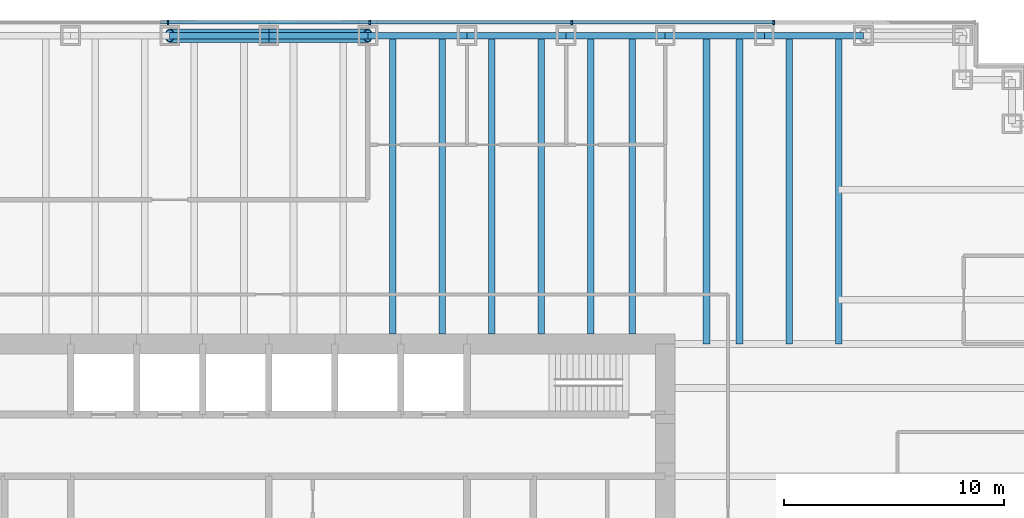
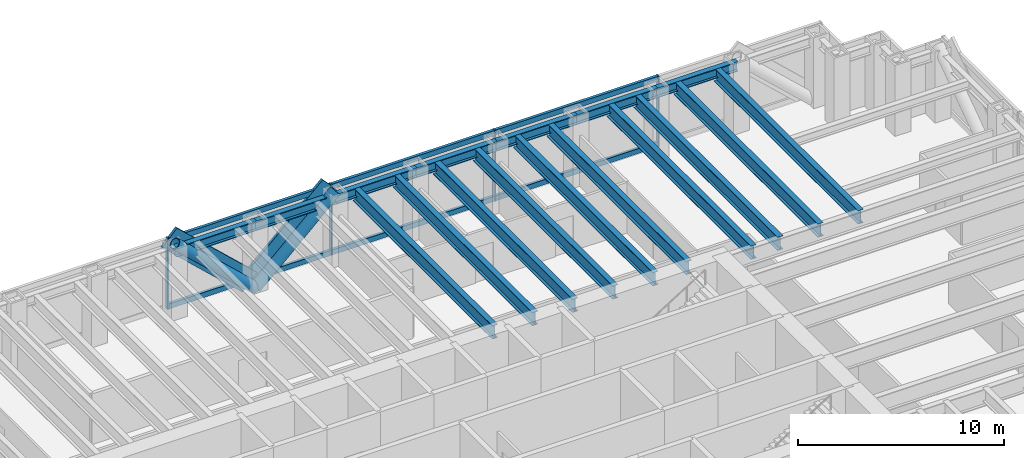
# One storey, part 7 of 15: 17 beams, 14 members, 1 element without a shape of its own.
"""IFC4 building model written with IfcOpenShell, lengths in metres."""

import ifcopenshell
import ifcopenshell.guid

model = None  # the IFC model being written
_history = None  # IfcOwnerHistory: only IFC2X3 demands one
_inside = {}  # id of a spatial element -> (the spatial element, [elements in it])
_under = {}  # id of a project, library or spatial element -> (it, [spatial elements below it])
_declared = {}  # id of a project -> (the project, [libraries it declares])
_typed = {}  # id of a type object -> (the type object, [elements of that type])
_made_of = {}  # id of a material, layer set ... -> (it, [elements and type objects made of it])


def new_model(schema):
    """Start an empty IFC model of exactly this schema.

    Asked for "IFC4X3", IfcOpenShell would pick the latest addendum, in which some entities
    have other attributes; the version numbers below select the first issue.
    IFC2X3 requires an IfcOwnerHistory on every rooted entity: one is made here for all.
    """
    global model, _history
    if schema == "IFC4X3":
        model = ifcopenshell.file(schema_version=(4, 3, 0, 0))
    else:
        model = ifcopenshell.file(schema=schema)
    _inside.clear()
    _under.clear()
    _declared.clear()
    _typed.clear()
    _made_of.clear()
    _history = None
    if model.schema == "IFC2X3":
        org = make("IfcOrganization", Name="unknown")
        user = make(
            "IfcPersonAndOrganization",
            ThePerson=make("IfcPerson", FamilyName="unknown"),
            TheOrganization=org,
        )
        app = make(
            "IfcApplication",
            ApplicationDeveloper=org,
            Version="unknown",
            ApplicationFullName="unknown",
            ApplicationIdentifier="unknown",
        )
        _history = make(
            "IfcOwnerHistory",
            OwningUser=user,
            OwningApplication=app,
            ChangeAction="ADDED",
            CreationDate=0,
        )
    return model


def make(cls, **values):
    """One entity of the class cls with the attributes given. An attribute that is None is left unset."""
    return model.create_entity(
        cls, **{name: value for name, value in values.items() if value is not None}
    )


def rooted(cls, **values):
    """An entity with a GlobalId (a new one), such as an element, a storey or a relation."""
    return make(cls, GlobalId=ifcopenshell.guid.new(), OwnerHistory=_history, **values)


def si_unit(unit_type, name, prefix=None):
    """IfcSIUnit, for example si_unit("LENGTHUNIT", "METRE", prefix="MILLI")."""
    return make("IfcSIUnit", UnitType=unit_type, Prefix=prefix, Name=name)


def assignment(units):
    """IfcUnitAssignment: the units of a project."""
    return None if units is None else make("IfcUnitAssignment", Units=units)


def point(xyz):
    """IfcCartesianPoint."""
    return None if xyz is None else make("IfcCartesianPoint", Coordinates=xyz)


def direction(xyz):
    """IfcDirection."""
    return None if xyz is None else make("IfcDirection", DirectionRatios=xyz)


def frame(location, z_axis=None, x_axis=None):
    """IfcAxis2Placement3D, a coordinate frame: its origin and axes. An axis left out is left unset."""
    return make(
        "IfcAxis2Placement3D",
        Location=point(location),
        Axis=direction(z_axis),
        RefDirection=direction(x_axis),
    )


def frame_2d(location, x_axis=None):
    """IfcAxis2Placement2D, a coordinate frame in the plane: its origin and x axis."""
    return make(
        "IfcAxis2Placement2D", Location=point(location), RefDirection=direction(x_axis)
    )


def origin():
    """The frame at (0, 0, 0) with its axes left unset."""
    return frame((0.0, 0.0, 0.0))


def origin_2d():
    """The frame at (0, 0) in the plane with its x axis left unset."""
    return frame_2d((0.0, 0.0))


def place(relative_to, where):
    """IfcLocalPlacement: puts the frame where relative to a parent placement (None: the world)."""
    return make(
        "IfcLocalPlacement", PlacementRelTo=relative_to, RelativePlacement=where
    )


def context(
    kind, dimensions, precision=None, world=None, true_north=None, identifier=None
):
    """IfcGeometricRepresentationContext, for example the 3D "Model" context."""
    return make(
        "IfcGeometricRepresentationContext",
        ContextIdentifier=identifier,
        ContextType=kind,
        CoordinateSpaceDimension=dimensions,
        Precision=precision,
        WorldCoordinateSystem=world,
        TrueNorth=true_north,
    )


def subcontext(parent, identifier, kind, view, scale=None):
    """IfcGeometricRepresentationSubContext, for example "Body" below "Model"."""
    return make(
        "IfcGeometricRepresentationSubContext",
        ContextIdentifier=identifier,
        ContextType=kind,
        ParentContext=parent,
        TargetScale=scale,
        TargetView=view,
    )


def project(units=None, contexts=None):
    """IfcProject with its units and contexts."""
    return rooted(
        "IfcProject",
        Name="project",
        RepresentationContexts=contexts,
        UnitsInContext=assignment(units),
    )


def spatial(cls, under=None, at=None, **own):
    """A site, building, storey or space (cls), placed at a placement, below another one or the project."""
    s = rooted(cls, ObjectPlacement=at, **own)
    if under is not None:
        _under.setdefault(under.id(), (under, []))[1].append(s)
    return s


def profile(cls, at=None, kind="AREA", **sizes):
    """A parametric profile (cls). Its sizes go by their IFC names, for example OverallWidth=200.0."""
    return make(cls, ProfileType=kind, Position=at, **sizes)


def rectangle(**sizes):
    """IfcRectangleProfileDef."""
    return profile("IfcRectangleProfileDef", **sizes)


def hollow_circle(**sizes):
    """IfcCircleHollowProfileDef."""
    return profile("IfcCircleHollowProfileDef", **sizes)


def i_section(**sizes):
    """IfcIShapeProfileDef."""
    return profile("IfcIShapeProfileDef", **sizes)


def extrude(swept, where, along, depth):
    """IfcExtrudedAreaSolid: the profile swept, set in the frame where, extruded along a direction by depth."""
    return make(
        "IfcExtrudedAreaSolid",
        SweptArea=swept,
        Position=where,
        ExtrudedDirection=direction(along),
        Depth=depth,
    )


def shape(context_of_items, identifier, shape_type, items):
    """IfcShapeRepresentation: the items that make up one representation, for example the "Body"."""
    return make(
        "IfcShapeRepresentation",
        ContextOfItems=context_of_items,
        RepresentationIdentifier=identifier,
        RepresentationType=shape_type,
        Items=items,
    )


def material(Name=None, Category=None):
    """IfcMaterial."""
    return make("IfcMaterial", Name=Name, Category=Category)


def material_profile(
    of_material, cross_section, Name=None, Category=None, Priority=None
):
    """IfcMaterialProfile: a cross section and its material."""
    return make(
        "IfcMaterialProfile",
        Name=Name,
        Material=of_material,
        Profile=cross_section,
        Priority=Priority,
        Category=Category,
    )


def profile_set(profiles, Name=None, composite=None):
    """IfcMaterialProfileSet."""
    return make(
        "IfcMaterialProfileSet",
        Name=Name,
        MaterialProfiles=profiles,
        CompositeProfile=composite,
    )


def made_of(thing, what):
    """Note that an element or type object is made of a material, layer set ...; save() writes the relation."""
    if what is not None:
        _made_of.setdefault(what.id(), (what, []))[1].append(thing)
    return thing


def type_object(cls, material=None, **own):
    """A type object (cls), such as IfcWallType, which elements share."""
    return made_of(rooted(cls, **own), material)


def element(
    cls,
    number,
    at=None,
    inside=None,
    cuts=None,
    type_object=None,
    material=None,
    context=None,
    identifier="Body",
    shape_type=None,
    held_by="IfcProductDefinitionShape",
    body=None,
    shapes=None,
    **own,
):
    """One element of the class cls, such as IfcWall. Its Tag is "e" and its number.

    at: its placement. inside: the storey or other place that contains it. cuts: it is an
    opening in that element (IfcRelVoidsElement). A single representation is given by context,
    identifier, shape_type and body (its items); several are given by shapes. held_by: the class
    of the entity that holds the representations. save() writes the other relations.
    """
    e = rooted(cls, Tag="e%d" % number, ObjectPlacement=at, **own)
    if body is not None:
        shapes = [shape(context, identifier, shape_type, body)]
    if shapes is not None:
        e.Representation = make(held_by, Representations=shapes)
    if inside is not None:
        _inside.setdefault(inside.id(), (inside, []))[1].append(e)
    if cuts is not None:
        rooted(
            "IfcRelVoidsElement", RelatingBuildingElement=cuts, RelatedOpeningElement=e
        )
    if type_object is not None:
        _typed.setdefault(type_object.id(), (type_object, []))[1].append(e)
    return made_of(e, material)


def aggregate(whole, parts):
    """IfcRelAggregates: a whole, such as a stair, and the parts it consists of."""
    return rooted("IfcRelAggregates", RelatingObject=whole, RelatedObjects=parts)


def save(model, path):
    """Write the relations noted so far, then the file.

    IfcRelAggregates (storeys below a building ...), IfcRelContainedInSpatialStructure (elements
    in a storey), IfcRelDefinesByType, IfcRelAssociatesMaterial and IfcRelDeclares: one each for
    every whole, place, type object, material and project.
    """
    for whole, parts in _under.values():
        aggregate(whole, parts)
    for where, things in _inside.values():
        rooted(
            "IfcRelContainedInSpatialStructure",
            RelatedElements=things,
            RelatingStructure=where,
        )
    for kind, things in _typed.values():
        rooted("IfcRelDefinesByType", RelatedObjects=things, RelatingType=kind)
    for what, things in _made_of.values():
        rooted("IfcRelAssociatesMaterial", RelatedObjects=things, RelatingMaterial=what)
    for by, libraries in _declared.values():
        rooted("IfcRelDeclares", RelatingContext=by, RelatedDefinitions=libraries)
    model.write(path)


model = new_model("IFC4")

# Units and contexts
model_context = context("Model", 3, precision=1e-05, world=origin(), true_north=direction((0.0, 1.0)))
body_context = subcontext(model_context, "Body", "Model", "MODEL_VIEW")
ifc_project = project(units=[si_unit("LENGTHUNIT", "METRE"), si_unit("AREAUNIT", "SQUARE_METRE"), si_unit("VOLUMEUNIT", "CUBIC_METRE"), si_unit("PLANEANGLEUNIT", "RADIAN"), si_unit("MASSUNIT", "GRAM", prefix="KILO")], contexts=[model_context])

# Site, building, storey
site_placement = place(None, origin())
site = spatial("IfcSite", under=ifc_project, at=site_placement, CompositionType="ELEMENT")
building_placement = place(site_placement, origin())
building = spatial("IfcBuilding", under=site, at=building_placement, Name="Rheinbord Bourse Tower", CompositionType="ELEMENT")
storey_placement = place(building_placement, frame((0.0, 0.0, 155.10009765625)))
storey = spatial("IfcBuildingStorey", under=building, at=storey_placement, Name="L34", CompositionType="ELEMENT", Elevation=155.10009765625)

# Curtain wall, members
ifc_material_1 = material(Name="Dark glass and black aluminium", Category="aluminium")
curtain_wall_type = type_object("IfcCurtainWallType", Name="CW2 DARK GLASS CURTAIN WALL", PredefinedType="USERDEFINED", material=ifc_material_1)
curtain_wall_placement = place(storey_placement, origin())
curtain_wall = element("IfcCurtainWall", 1, at=curtain_wall_placement, inside=storey, type_object=curtain_wall_type, Name="Curtain wall CW2 N L34", ObjectType="UNITISED CURTAIN WALL", PredefinedType="USERDEFINED")
ifc_material_2 = material(Name="Black anodised aluminium", Category="aluminium")
ifc_material_profile_1 = material_profile(ifc_material_2, rectangle(XDim=0.159912109375, YDim=1.2099609375, at=origin_2d()), Name="CW2 DIAGONAL MULLION 1210x160")
ifc_profile_set_1 = profile_set([ifc_material_profile_1], Name="Black anodised aluminium")
member_type_1 = type_object("IfcMemberType", Name="CW2 BLACK DIAGONAL MULLION", PredefinedType="USERDEFINED", material=ifc_profile_set_1)
member_1_placement = place(storey_placement, frame((36.0, 46.60009765625, 0.0), z_axis=(0.73105922506, 0.0, 0.682314010889), x_axis=(0.0, 1.0, 0.0)))
member_1 = element("IfcMember", 2, at=member_1_placement, type_object=member_type_1, Name="CW2 diagonal mullion a", ObjectType="DIAGONAL MULLION", PredefinedType="USERDEFINED", context=body_context, shape_type="SweptSolid", body=[
    extrude(rectangle(XDim=0.159912109375, YDim=1.2099609375, at=origin_2d()), origin(), (0.0, 0.0, 1.0), 6.155517578125),
])
member_2_placement = place(storey_placement, frame((36.0, 46.60009765625, 0.0), z_axis=(-0.73105922506, 0.0, 0.682314010889), x_axis=(0.0, -1.0, 0.0)))
member_2 = element("IfcMember", 3, at=member_2_placement, type_object=member_type_1, Name="CW2 diagonal mullion b", ObjectType="DIAGONAL MULLION", PredefinedType="USERDEFINED", context=body_context, shape_type="SweptSolid", body=[
    extrude(rectangle(XDim=0.159912109375, YDim=1.2099609375, at=origin_2d()), origin(), (0.0, 0.0, 1.0), 6.155517578125),
])
ifc_material_3 = material(Name="Black anodised aluminium", Category="aluminium")
ifc_material_profile_2 = material_profile(ifc_material_3, rectangle(XDim=0.219970703125, YDim=0.070068359375, at=origin_2d()), Name="CW2 MULLION 70x220")
ifc_profile_set_2 = profile_set([ifc_material_profile_2], Name="Black anodised aluminium")
member_type_2 = type_object("IfcMemberType", Name="CW2 BLACK MULLION", PredefinedType="MULLION", material=ifc_profile_set_2)
member_3_placement = place(storey_placement, frame((58.928466796875, 46.60009765625, 0.0), z_axis=(0.0, 0.0, 1.0), x_axis=(0.0, -1.0, 0.0)))
member_3 = element("IfcMember", 4, at=member_3_placement, type_object=member_type_2, Name="CW2 mullion 2", PredefinedType="MULLION", context=body_context, shape_type="SweptSolid", body=[
    extrude(rectangle(XDim=0.219970703125, YDim=0.070068359375, at=origin_2d()), origin(), (0.0, 0.0, 1.0), 4.199951171875),
])
member_4_placement = place(storey_placement, frame((49.757080078125, 46.60009765625, 0.0), z_axis=(0.0, 0.0, 1.0), x_axis=(0.0, -1.0, 0.0)))
member_4 = element("IfcMember", 5, at=member_4_placement, type_object=member_type_2, Name="CW2 mullion 3", PredefinedType="MULLION", context=body_context, shape_type="SweptSolid", body=[
    extrude(rectangle(XDim=0.219970703125, YDim=0.070068359375, at=origin_2d()), origin(), (0.0, 0.0, 1.0), 4.199951171875),
])
member_5_placement = place(storey_placement, frame((40.585693359375, 46.60009765625, 0.0), z_axis=(0.0, 0.0, 1.0), x_axis=(0.0, -1.0, 0.0)))
member_5 = element("IfcMember", 6, at=member_5_placement, type_object=member_type_2, Name="CW2 mullion 4", PredefinedType="MULLION", context=body_context, shape_type="SweptSolid", body=[
    extrude(rectangle(XDim=0.219970703125, YDim=0.070068359375, at=origin_2d()), origin(), (0.0, 0.0, 1.0), 4.199951171875),
])
member_6_placement = place(storey_placement, frame((31.414306640625, 46.60009765625, 0.0), z_axis=(0.0, 0.0, 1.0), x_axis=(0.0, -1.0, 0.0)))
member_6 = element("IfcMember", 7, at=member_6_placement, type_object=member_type_2, Name="CW2 mullion 5", PredefinedType="MULLION", context=body_context, shape_type="SweptSolid", body=[
    extrude(rectangle(XDim=0.219970703125, YDim=0.070068359375, at=origin_2d()), origin(), (0.0, 0.0, 1.0), 4.199951171875),
])
ifc_material_4 = material(Name="Black anodised aluminium", Category="aluminium")
ifc_material_profile_3 = material_profile(ifc_material_4, rectangle(XDim=0.159912109375, YDim=0.300048828125, at=origin_2d()), Name="CW2 TRANSOM 300x160")
ifc_profile_set_3 = profile_set([ifc_material_profile_3], Name="Black anodised aluminium")
member_type_3 = type_object("IfcMemberType", Name="CW2 BLACK TRANSOM", PredefinedType="USERDEFINED", material=ifc_profile_set_3)
member_7_placement = place(storey_placement, frame((58.8935546875, 46.60009765625, 0.14990234375), z_axis=(-1.0, 0.0, 0.0), x_axis=(0.0, -1.0, 0.0)))
member_7 = element("IfcMember", 8, at=member_7_placement, type_object=member_type_3, Name="CW2 transom 2.1", ObjectType="TRANSOM", PredefinedType="USERDEFINED", context=body_context, shape_type="SweptSolid", body=[
    extrude(rectangle(XDim=0.159912109375, YDim=0.300048828125, at=origin_2d()), origin(), (0.0, 0.0, 1.0), 9.101318359375),
])
member_8_placement = place(storey_placement, frame((58.8935546875, 46.60009765625, 4.0498046875), z_axis=(-1.0, 0.0, 0.0), x_axis=(0.0, -1.0, 0.0)))
member_8 = element("IfcMember", 9, at=member_8_placement, type_object=member_type_3, Name="CW2 transom 2.2", ObjectType="TRANSOM", PredefinedType="USERDEFINED", context=body_context, shape_type="SweptSolid", body=[
    extrude(rectangle(XDim=0.159912109375, YDim=0.300048828125, at=origin_2d()), origin(), (0.0, 0.0, 1.0), 9.101318359375),
])
member_9_placement = place(storey_placement, frame((49.72216796875, 46.60009765625, 0.14990234375), z_axis=(-1.0, 0.0, 0.0), x_axis=(0.0, -1.0, 0.0)))
member_9 = element("IfcMember", 10, at=member_9_placement, type_object=member_type_3, Name="CW2 transom 3.1", ObjectType="TRANSOM", PredefinedType="USERDEFINED", context=body_context, shape_type="SweptSolid", body=[
    extrude(rectangle(XDim=0.159912109375, YDim=0.300048828125, at=origin_2d()), origin(), (0.0, 0.0, 1.0), 9.1015625),
])
member_10_placement = place(storey_placement, frame((49.72216796875, 46.60009765625, 4.0498046875), z_axis=(-1.0, 0.0, 0.0), x_axis=(0.0, -1.0, 0.0)))
member_10 = element("IfcMember", 11, at=member_10_placement, type_object=member_type_3, Name="CW2 transom 3.2", ObjectType="TRANSOM", PredefinedType="USERDEFINED", context=body_context, shape_type="SweptSolid", body=[
    extrude(rectangle(XDim=0.159912109375, YDim=0.300048828125, at=origin_2d()), origin(), (0.0, 0.0, 1.0), 9.1015625),
])
member_11_placement = place(storey_placement, frame((40.55078125, 46.60009765625, 0.14990234375), z_axis=(-1.0, 0.0, 0.0), x_axis=(0.0, -1.0, 0.0)))
member_11 = element("IfcMember", 12, at=member_11_placement, type_object=member_type_3, Name="CW2 transom 4.1", ObjectType="TRANSOM", PredefinedType="USERDEFINED", context=body_context, shape_type="SweptSolid", body=[
    extrude(rectangle(XDim=0.159912109375, YDim=0.300048828125, at=origin_2d()), origin(), (0.0, 0.0, 1.0), 9.1015625),
])
member_12_placement = place(storey_placement, frame((40.55078125, 46.60009765625, 4.0498046875), z_axis=(-1.0, 0.0, 0.0), x_axis=(0.0, -1.0, 0.0)))
member_12 = element("IfcMember", 13, at=member_12_placement, type_object=member_type_3, Name="CW2 transom 4.2", ObjectType="TRANSOM", PredefinedType="USERDEFINED", context=body_context, shape_type="SweptSolid", body=[
    extrude(rectangle(XDim=0.159912109375, YDim=0.300048828125, at=origin_2d()), origin(), (0.0, 0.0, 1.0), 9.1015625),
])
aggregate(curtain_wall, [member_3, member_4, member_5, member_6, member_7, member_8, member_9, member_10, member_11, member_12, member_1, member_2])

# Beams
ifc_material_5 = material(Name="Steel S460", Category="steel")
ifc_material_profile_4 = material_profile(ifc_material_5, i_section(OverallWidth=0.300048828125, OverallDepth=0.800048828125, WebThickness=0.017578125, FlangeThickness=0.032958984375, at=origin_2d()), Name="HEB 800")
ifc_profile_set_4 = profile_set([ifc_material_profile_4], Name="Steel S460")
beam_type_1 = type_object("IfcBeamType", Name="FLOOR BEAM HEB 800", PredefinedType="BEAM", material=ifc_profile_set_4)
for number, where, z_axis, x_axis, name in (
    (14, (41.625, 46.0, 3.639892578125), (0.0, -1.0, 0.0), (1.0, 0.0, 0.0), "Floor beam N-40.5a L35"),
    (15, (43.875, 46.0, 3.639892578125), (0.0, -1.0, 0.0), (1.0, 0.0, 0.0), "Floor beam N-40.5b L35"),
    (16, (46.125, 46.0, 3.639892578125), (0.0, -1.0, 0.0), (1.0, 0.0, 0.0), "Floor beam N-45a L35"),
    (17, (48.375, 46.0, 3.639892578125), (0.0, -1.0, 0.0), (1.0, 0.0, 0.0), "Floor beam N-45b L35"),
    (18, (50.625, 46.0, 3.639892578125), (0.0, -1.0, 0.0), (1.0, 0.0, 0.0), "Floor beam N-49.5a L35"),
    (19, (52.5, 46.0, 3.639892578125), (0.0, -1.0, 0.0), (1.0, 0.0, 0.0), "Floor beam N-49.5b L35"),
):
    element("IfcBeam", number, at=place(storey_placement, frame(where, z_axis=z_axis, x_axis=x_axis)), inside=storey, type_object=beam_type_1, Name=name, PredefinedType="BEAM", context=body_context, shape_type="SweptSolid", body=[
        extrude(i_section(OverallWidth=0.300048828125, OverallDepth=0.800048828125, WebThickness=0.017578125, FlangeThickness=0.032958984375, at=origin_2d()), origin(), (0.0, 0.0, 1.0), 13.550048828125),
    ])
for number, where, z_axis, x_axis, name in (
    (20, (55.875, 46.0, 3.639892578125), (0.0, -1.0, 0.0), (1.0, 0.0, 0.0), "Floor beam N-54a L35"),
    (21, (57.375, 46.0, 3.639892578125), (0.0, -1.0, 0.0), (1.0, 0.0, 0.0), "Floor beam N-54b L35"),
    (22, (59.625, 46.0, 3.639892578125), (0.0, -1.0, 0.0), (1.0, 0.0, 0.0), "Floor beam N-58.5a L35"),
    (23, (61.875, 46.0, 3.639892578125), (0.0, -1.0, 0.0), (1.0, 0.0, 0.0), "Floor beam N-58.5b L35"),
):
    element("IfcBeam", number, at=place(storey_placement, frame(where, z_axis=z_axis, x_axis=x_axis)), inside=storey, type_object=beam_type_1, Name=name, PredefinedType="BEAM", context=body_context, shape_type="SweptSolid", body=[
        extrude(i_section(OverallWidth=0.300048828125, OverallDepth=0.800048828125, WebThickness=0.017578125, FlangeThickness=0.032958984375, at=origin_2d()), origin(), (0.0, 0.0, 1.0), 14.0),
    ])

# Members
ifc_material_6 = material(Name="Steel S460", Category="steel")
ifc_material_profile_5 = material_profile(ifc_material_6, hollow_circle(Radius=0.304931640625, WallThickness=0.0400390625, at=origin_2d()), Name="CHS 610x40")
ifc_profile_set_5 = profile_set([ifc_material_profile_5], Name="Steel S460")
member_type_4 = type_object("IfcMemberType", Name="MEGABRACE CHS 610x40", PredefinedType="BRACE", material=ifc_profile_set_5)
for number, where, z_axis, x_axis, name in (
    (24, (36.0, 46.0, 0.0), (0.73105922506, 0.0, 0.682314010889), (0.0, 1.0, 0.0), "Megabrace N face line a L34"),
    (25, (36.0, 46.0, 0.0), (-0.73105922506, 0.0, 0.682314010889), (0.0, -1.0, 0.0), "Megabrace N face line b L34"),
):
    element("IfcMember", number, at=place(storey_placement, frame(where, z_axis=z_axis, x_axis=x_axis)), inside=storey, type_object=member_type_4, Name=name, PredefinedType="BRACE", context=body_context, shape_type="SweptSolid", body=[
        extrude(hollow_circle(Radius=0.304931640625, WallThickness=0.0400390625, at=origin_2d()), origin(), (0.0, 0.0, 1.0), 6.155517578125),
    ])

# Beams
ifc_material_7 = material(Name="Steel S460", Category="steel")
ifc_material_profile_6 = material_profile(ifc_material_7, i_section(OverallWidth=0.305908203125, OverallDepth=0.572021484375, WebThickness=0.02099609375, FlangeThickness=0.0400390625, at=origin_2d()), Name="HEM 550")
ifc_profile_set_6 = profile_set([ifc_material_profile_6], Name="Steel S460")
beam_type_2 = type_object("IfcBeamType", Name="SPANDREL HEM 550", PredefinedType="SPANDREL", material=ifc_profile_set_6)
for number, where, z_axis, x_axis, name in (
    (26, (63.0, 46.0, 3.75390625), (-1.0, 0.0, 0.0), (0.0, -1.0, 0.0), "Spandrel N-63-N-58.5 under L35"),
    (27, (58.5, 46.0, 3.75390625), (-1.0, 0.0, 0.0), (0.0, -1.0, 0.0), "Spandrel N-58.5-N-54 under L35"),
    (28, (54.0, 46.0, 3.75390625), (-1.0, 0.0, 0.0), (0.0, -1.0, 0.0), "Spandrel N-54-N-49.5 under L35"),
    (29, (49.5, 46.0, 3.75390625), (-1.0, 0.0, 0.0), (0.0, -1.0, 0.0), "Spandrel N-49.5-N-45 under L35"),
    (30, (45.0, 46.0, 3.75390625), (-1.0, 0.0, 0.0), (0.0, -1.0, 0.0), "Spandrel N-45-N-40.5 under L35"),
    (31, (40.5, 46.0, 3.75390625), (-1.0, 0.0, 0.0), (0.0, -1.0, 0.0), "Spandrel N-40.5-N-36 under L35"),
    (32, (36.0, 46.0, 3.75390625), (-1.0, 0.0, 0.0), (0.0, -1.0, 0.0), "Spandrel N-36-N-31.5 under L35"),
):
    element("IfcBeam", number, at=place(storey_placement, frame(where, z_axis=z_axis, x_axis=x_axis)), inside=storey, type_object=beam_type_2, Name=name, PredefinedType="SPANDREL", context=body_context, shape_type="SweptSolid", body=[
        extrude(i_section(OverallWidth=0.305908203125, OverallDepth=0.572021484375, WebThickness=0.02099609375, FlangeThickness=0.0400390625, at=origin_2d()), origin(), (0.0, 0.0, 1.0), 4.5),
    ])

save(model, "model.ifc")
